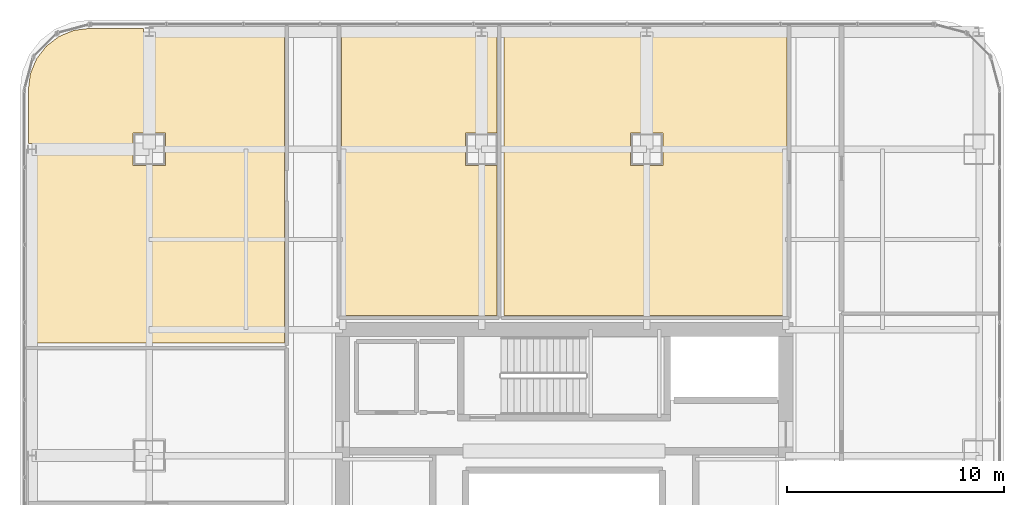
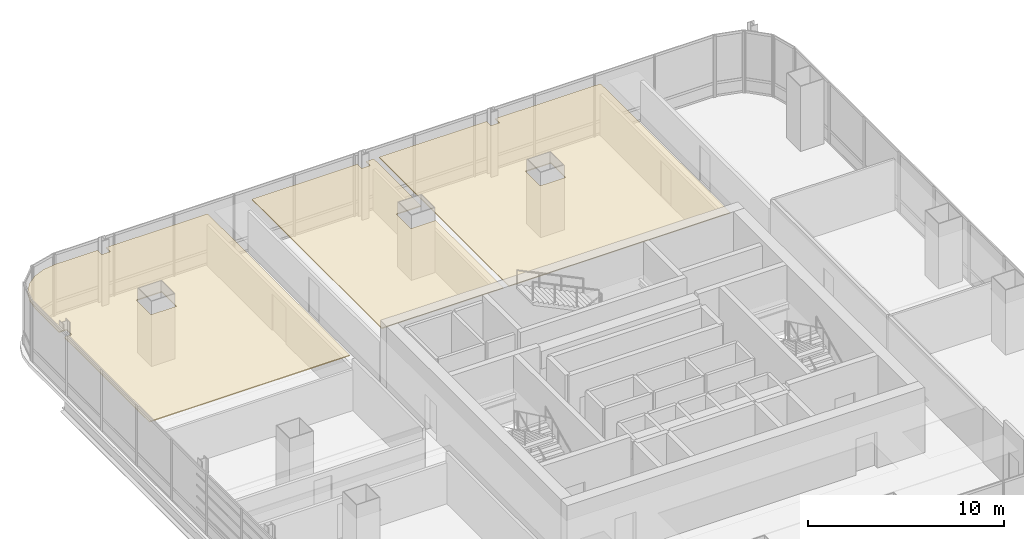
# One storey, part 38 of 38: 3 coverings.
"""IFC4 building model written with IfcOpenShell, lengths in metres."""

import ifcopenshell
import ifcopenshell.guid

model = None  # the IFC model being written
_history = None  # IfcOwnerHistory: only IFC2X3 demands one
_inside = {}  # id of a spatial element -> (the spatial element, [elements in it])
_under = {}  # id of a project, library or spatial element -> (it, [spatial elements below it])
_declared = {}  # id of a project -> (the project, [libraries it declares])
_typed = {}  # id of a type object -> (the type object, [elements of that type])
_made_of = {}  # id of a material, layer set ... -> (it, [elements and type objects made of it])


def new_model(schema):
    """Start an empty IFC model of exactly this schema.

    Asked for "IFC4X3", IfcOpenShell would pick the latest addendum, in which some entities
    have other attributes; the version numbers below select the first issue.
    IFC2X3 requires an IfcOwnerHistory on every rooted entity: one is made here for all.
    """
    global model, _history
    if schema == "IFC4X3":
        model = ifcopenshell.file(schema_version=(4, 3, 0, 0))
    else:
        model = ifcopenshell.file(schema=schema)
    _inside.clear()
    _under.clear()
    _declared.clear()
    _typed.clear()
    _made_of.clear()
    _history = None
    if model.schema == "IFC2X3":
        org = make("IfcOrganization", Name="unknown")
        user = make(
            "IfcPersonAndOrganization",
            ThePerson=make("IfcPerson", FamilyName="unknown"),
            TheOrganization=org,
        )
        app = make(
            "IfcApplication",
            ApplicationDeveloper=org,
            Version="unknown",
            ApplicationFullName="unknown",
            ApplicationIdentifier="unknown",
        )
        _history = make(
            "IfcOwnerHistory",
            OwningUser=user,
            OwningApplication=app,
            ChangeAction="ADDED",
            CreationDate=0,
        )
    return model


def make(cls, **values):
    """One entity of the class cls with the attributes given. An attribute that is None is left unset."""
    return model.create_entity(
        cls, **{name: value for name, value in values.items() if value is not None}
    )


def rooted(cls, **values):
    """An entity with a GlobalId (a new one), such as an element, a storey or a relation."""
    return make(cls, GlobalId=ifcopenshell.guid.new(), OwnerHistory=_history, **values)


def si_unit(unit_type, name, prefix=None):
    """IfcSIUnit, for example si_unit("LENGTHUNIT", "METRE", prefix="MILLI")."""
    return make("IfcSIUnit", UnitType=unit_type, Prefix=prefix, Name=name)


def assignment(units):
    """IfcUnitAssignment: the units of a project."""
    return None if units is None else make("IfcUnitAssignment", Units=units)


def point(xyz):
    """IfcCartesianPoint."""
    return None if xyz is None else make("IfcCartesianPoint", Coordinates=xyz)


def direction(xyz):
    """IfcDirection."""
    return None if xyz is None else make("IfcDirection", DirectionRatios=xyz)


def frame(location, z_axis=None, x_axis=None):
    """IfcAxis2Placement3D, a coordinate frame: its origin and axes. An axis left out is left unset."""
    return make(
        "IfcAxis2Placement3D",
        Location=point(location),
        Axis=direction(z_axis),
        RefDirection=direction(x_axis),
    )


def origin():
    """The frame at (0, 0, 0) with its axes left unset."""
    return frame((0.0, 0.0, 0.0))


def place(relative_to, where):
    """IfcLocalPlacement: puts the frame where relative to a parent placement (None: the world)."""
    return make(
        "IfcLocalPlacement", PlacementRelTo=relative_to, RelativePlacement=where
    )


def context(
    kind, dimensions, precision=None, world=None, true_north=None, identifier=None
):
    """IfcGeometricRepresentationContext, for example the 3D "Model" context."""
    return make(
        "IfcGeometricRepresentationContext",
        ContextIdentifier=identifier,
        ContextType=kind,
        CoordinateSpaceDimension=dimensions,
        Precision=precision,
        WorldCoordinateSystem=world,
        TrueNorth=true_north,
    )


def subcontext(parent, identifier, kind, view, scale=None):
    """IfcGeometricRepresentationSubContext, for example "Body" below "Model"."""
    return make(
        "IfcGeometricRepresentationSubContext",
        ContextIdentifier=identifier,
        ContextType=kind,
        ParentContext=parent,
        TargetScale=scale,
        TargetView=view,
    )


def project(units=None, contexts=None):
    """IfcProject with its units and contexts."""
    return rooted(
        "IfcProject",
        Name="project",
        RepresentationContexts=contexts,
        UnitsInContext=assignment(units),
    )


def spatial(cls, under=None, at=None, **own):
    """A site, building, storey or space (cls), placed at a placement, below another one or the project."""
    s = rooted(cls, ObjectPlacement=at, **own)
    if under is not None:
        _under.setdefault(under.id(), (under, []))[1].append(s)
    return s


def polyline(points):
    """IfcPolyline through the points."""
    return make("IfcPolyline", Points=[point(p) for p in points])


def outline(outer, holes=None, kind="AREA"):
    """IfcArbitraryClosedProfileDef: a profile drawn as a closed curve; with holes, ...WithVoids."""
    if holes is None:
        return make("IfcArbitraryClosedProfileDef", ProfileType=kind, OuterCurve=outer)
    return make(
        "IfcArbitraryProfileDefWithVoids",
        ProfileType=kind,
        OuterCurve=outer,
        InnerCurves=holes,
    )


def extrude(swept, where, along, depth):
    """IfcExtrudedAreaSolid: the profile swept, set in the frame where, extruded along a direction by depth."""
    return make(
        "IfcExtrudedAreaSolid",
        SweptArea=swept,
        Position=where,
        ExtrudedDirection=direction(along),
        Depth=depth,
    )


def shape(context_of_items, identifier, shape_type, items):
    """IfcShapeRepresentation: the items that make up one representation, for example the "Body"."""
    return make(
        "IfcShapeRepresentation",
        ContextOfItems=context_of_items,
        RepresentationIdentifier=identifier,
        RepresentationType=shape_type,
        Items=items,
    )


def material(Name=None, Category=None):
    """IfcMaterial."""
    return make("IfcMaterial", Name=Name, Category=Category)


def layer(
    of_material, thickness, ventilated=None, Name=None, Category=None, Priority=None
):
    """IfcMaterialLayer: one layer of a wall or slab, of a material (None: an air gap)."""
    return make(
        "IfcMaterialLayer",
        Material=of_material,
        LayerThickness=thickness,
        IsVentilated=ventilated,
        Name=Name,
        Category=Category,
        Priority=Priority,
    )


def layer_set(layers, Name=None):
    """IfcMaterialLayerSet."""
    return make("IfcMaterialLayerSet", MaterialLayers=layers, LayerSetName=Name)


def made_of(thing, what):
    """Note that an element or type object is made of a material, layer set ...; save() writes the relation."""
    if what is not None:
        _made_of.setdefault(what.id(), (what, []))[1].append(thing)
    return thing


def type_object(cls, material=None, **own):
    """A type object (cls), such as IfcWallType, which elements share."""
    return made_of(rooted(cls, **own), material)


def element(
    cls,
    number,
    at=None,
    inside=None,
    cuts=None,
    type_object=None,
    material=None,
    context=None,
    identifier="Body",
    shape_type=None,
    held_by="IfcProductDefinitionShape",
    body=None,
    shapes=None,
    **own,
):
    """One element of the class cls, such as IfcWall. Its Tag is "e" and its number.

    at: its placement. inside: the storey or other place that contains it. cuts: it is an
    opening in that element (IfcRelVoidsElement). A single representation is given by context,
    identifier, shape_type and body (its items); several are given by shapes. held_by: the class
    of the entity that holds the representations. save() writes the other relations.
    """
    e = rooted(cls, Tag="e%d" % number, ObjectPlacement=at, **own)
    if body is not None:
        shapes = [shape(context, identifier, shape_type, body)]
    if shapes is not None:
        e.Representation = make(held_by, Representations=shapes)
    if inside is not None:
        _inside.setdefault(inside.id(), (inside, []))[1].append(e)
    if cuts is not None:
        rooted(
            "IfcRelVoidsElement", RelatingBuildingElement=cuts, RelatedOpeningElement=e
        )
    if type_object is not None:
        _typed.setdefault(type_object.id(), (type_object, []))[1].append(e)
    return made_of(e, material)


def aggregate(whole, parts):
    """IfcRelAggregates: a whole, such as a stair, and the parts it consists of."""
    return rooted("IfcRelAggregates", RelatingObject=whole, RelatedObjects=parts)


def save(model, path):
    """Write the relations noted so far, then the file.

    IfcRelAggregates (storeys below a building ...), IfcRelContainedInSpatialStructure (elements
    in a storey), IfcRelDefinesByType, IfcRelAssociatesMaterial and IfcRelDeclares: one each for
    every whole, place, type object, material and project.
    """
    for whole, parts in _under.values():
        aggregate(whole, parts)
    for where, things in _inside.values():
        rooted(
            "IfcRelContainedInSpatialStructure",
            RelatedElements=things,
            RelatingStructure=where,
        )
    for kind, things in _typed.values():
        rooted("IfcRelDefinesByType", RelatedObjects=things, RelatingType=kind)
    for what, things in _made_of.values():
        rooted("IfcRelAssociatesMaterial", RelatedObjects=things, RelatingMaterial=what)
    for by, libraries in _declared.values():
        rooted("IfcRelDeclares", RelatingContext=by, RelatedDefinitions=libraries)
    model.write(path)


model = new_model("IFC4")

# Units and contexts
model_context = context("Model", 3, precision=1e-05, world=origin(), true_north=direction((0.0, 1.0)))
body_context = subcontext(model_context, "Body", "Model", "MODEL_VIEW")
ifc_project = project(units=[si_unit("LENGTHUNIT", "METRE"), si_unit("AREAUNIT", "SQUARE_METRE"), si_unit("VOLUMEUNIT", "CUBIC_METRE"), si_unit("PLANEANGLEUNIT", "RADIAN"), si_unit("MASSUNIT", "GRAM", prefix="KILO")], contexts=[model_context])

# Site, building, storey
site_placement = place(None, origin())
site = spatial("IfcSite", under=ifc_project, at=site_placement, CompositionType="ELEMENT")
building_placement = place(site_placement, origin())
building = spatial("IfcBuilding", under=site, at=building_placement, Name="Punatoya Terracotta Tower", CompositionType="ELEMENT")
storey_placement = place(building_placement, frame((0.0, 0.0, 147.89990234375)))
storey = spatial("IfcBuildingStorey", under=building, at=storey_placement, Name="L34", CompositionType="ELEMENT", Elevation=147.89990234375)

# Coverings
ifc_material = material(Name="Acoustic Mineral Fibre Ceiling")
ifc_layer = layer(ifc_material, 0.06005859375)
ifc_layer_set = layer_set([ifc_layer], Name="Acoustic Mineral Fibre Ceiling")
covering_type = type_object("IfcCoveringType", Name="COV-CEIL-60", PredefinedType="CEILING", material=ifc_layer_set)
covering_1_placement = place(storey_placement, frame((0.0, 0.0, 3.22021484375)))
element("IfcCovering", 1, at=covering_1_placement, inside=storey, type_object=covering_type, Name="L34 Technical Seminar Room Acoustic Ceiling", PredefinedType="CEILING", context=body_context, shape_type="SweptSolid", body=[
    extrude(outline(polyline([(-12.8701171875, 23.070068359375), (-18.845458984375, 23.070068359375), (-18.845458984375, 22.637451171875), (-19.3544921875, 22.637451171875), (-19.3544921875, 23.070068359375), (-21.8251953125, 23.070068359375), (-22.5791015625, 22.970703125), (-23.25830078125, 22.689453125), (-23.841796875, 22.24169921875), (-24.289306640625, 21.658203125), (-24.57080078125, 20.97900390625), (-24.669921875, 20.22509765625), (-24.669921875, 17.762451171875), (-24.24560546875, 17.762451171875), (-24.24560546875, 17.237548828125), (-24.669921875, 17.237548828125), (-24.669921875, 8.569091796875), (-12.8701171875, 8.569091796875), (-12.8701171875, 23.070068359375)]), holes=[polyline([(-19.85009765625, 18.25), (-18.35009765625, 18.25), (-18.35009765625, 16.75), (-19.85009765625, 16.75), (-19.85009765625, 18.25)])]), origin(), (0.0, 0.0, 1.0), 0.059814453125),
])
covering_2_placement = place(storey_placement, frame((0.0, 0.0, 3.22021484375)))
element("IfcCovering", 2, at=covering_2_placement, inside=storey, type_object=covering_type, Name="L34 Open-Plan Laboratory Staff Pantry Acoustic Ceiling", PredefinedType="CEILING", context=body_context, shape_type="SweptSolid", body=[
    extrude(outline(polyline([(-3.54541015625, 23.070068359375), (-3.54541015625, 22.637451171875), (-4.054443359375, 22.637451171875), (-4.054443359375, 23.070068359375), (-10.260009765625, 23.070068359375), (-10.260009765625, 9.840087890625), (-3.093994140625, 9.840087890625), (-3.093994140625, 16.75), (-4.550048828125, 16.75), (-4.550048828125, 18.25), (-3.093994140625, 18.25), (-3.093994140625, 23.070068359375), (-3.54541015625, 23.070068359375)])), origin(), (0.0, 0.0, 1.0), 0.059814453125),
])
covering_3_placement = place(storey_placement, frame((0.0, 0.0, 3.22021484375)))
element("IfcCovering", 3, at=covering_3_placement, inside=storey, type_object=covering_type, Name="L34 Wellness Rest Room Acoustic Ceiling", PredefinedType="CEILING", context=body_context, shape_type="SweptSolid", body=[
    extrude(outline(polyline([(10.260009765625, 9.840087890625), (10.260009765625, 23.070068359375), (4.054443359375, 23.070068359375), (4.054443359375, 22.637451171875), (3.54541015625, 22.637451171875), (3.54541015625, 23.070068359375), (-2.77392578125, 23.070068359375), (-2.77392578125, 9.840087890625), (10.260009765625, 9.840087890625)]), holes=[polyline([(4.550048828125, 16.75), (3.050048828125, 16.75), (3.050048828125, 18.25), (4.550048828125, 18.25), (4.550048828125, 16.75)])]), origin(), (0.0, 0.0, 1.0), 0.059814453125),
])

save(model, "model.ifc")
